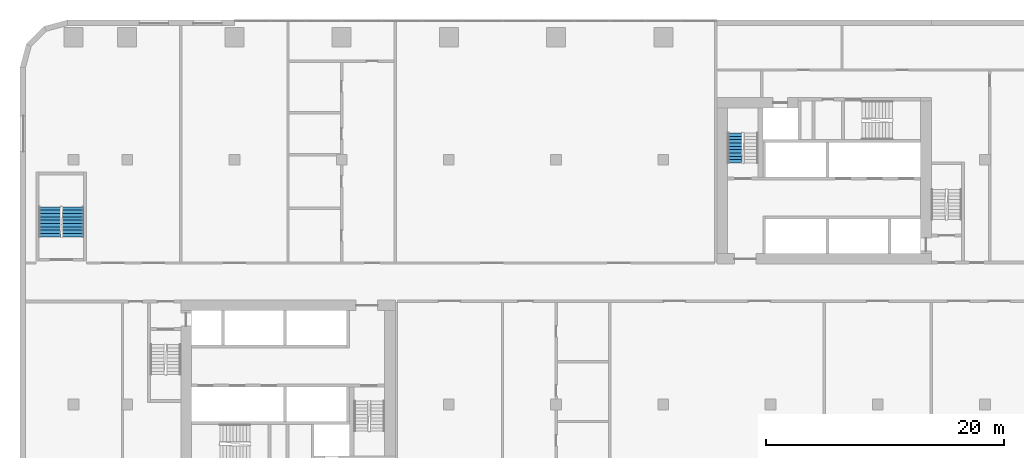
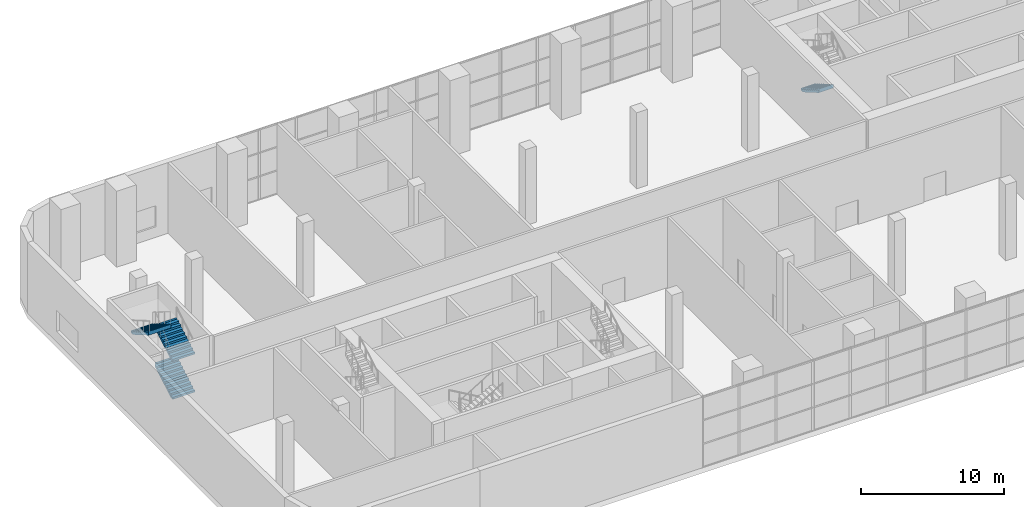
# One storey, part 17 of 24: 4 stair flights, 2 elements without a shape of their own.
"""IFC4 building model written with IfcOpenShell, lengths in metres."""

from ifc_helpers import new_model, si_unit, direction, frame, origin, place, context, subcontext, project, spatial, faceted_brep, material, type_object, element, aggregate, save


model = new_model("IFC4")

# Units and contexts
model_context = context("Model", 3, precision=1e-05, world=origin(), true_north=direction((0.0, 1.0)))
body_context = subcontext(model_context, "Body", "Model", "MODEL_VIEW")
ifc_project = project(units=[si_unit("LENGTHUNIT", "METRE"), si_unit("AREAUNIT", "SQUARE_METRE"), si_unit("VOLUMEUNIT", "CUBIC_METRE"), si_unit("PLANEANGLEUNIT", "RADIAN"), si_unit("MASSUNIT", "GRAM", prefix="KILO")], contexts=[model_context])

# Site, building, storey
site_placement = place(None, origin())
site = spatial("IfcSite", under=ifc_project, at=site_placement, CompositionType="ELEMENT")
building_placement = place(site_placement, origin())
building = spatial("IfcBuilding", under=site, at=building_placement, Name="Kajstack Hotel Tower", CompositionType="ELEMENT")
storey_placement = place(building_placement, frame((0.0, 0.0, 17.0)))
storey = spatial("IfcBuildingStorey", under=building, at=storey_placement, Name="L02", CompositionType="ELEMENT", Elevation=17.0)

# Stair, stair flights
ifc_material = material(Name="Concrete C40/50", Category="concrete")
stair_type_1 = type_object("IfcStairType", Name="Escape stair 1800", PredefinedType="HALF_TURN_STAIR", material=ifc_material)
stair_1_placement = place(storey_placement, origin())
stair_1 = element("IfcStair", 1, at=stair_1_placement, inside=storey, type_object=stair_type_1, Name="L02 stair P1", PredefinedType="HALF_TURN_STAIR")
stair_flight_type_1 = type_object("IfcStairFlightType", Name="Escape stair flight 1800", PredefinedType="STRAIGHT", material=ifc_material)
stair_flight_1_placement = place(storey_placement, frame((-40.550048828125, 3.800048828125, 0.0), z_axis=(0.0, 0.0, 1.0), x_axis=(0.0, 1.0, 0.0)))
stair_flight_1 = element("IfcStairFlight", 2, at=stair_flight_1_placement, type_object=stair_flight_type_1, Name="P1 flight 1", NumberOfRisers=10, NumberOfTreads=9, PredefinedType="STRAIGHT", RiserHeight=0.1625, TreadLength=0.28, context=body_context, shape_type="Brep", body=[
    faceted_brep([(0.299072265625, -0.89990234375, 0.0), (2.5205078125, -0.89990234375, 1.2890625), (2.5205078125, -0.89990234375, 1.625), (2.52001953125, -0.89990234375, 1.625), (2.52001953125, -0.89990234375, 1.46240234375), (2.239990234375, -0.89990234375, 1.46240234375), (2.239990234375, -0.89990234375, 1.300048828125), (1.9599609375, -0.89990234375, 1.300048828125), (1.9599609375, -0.89990234375, 1.137451171875), (1.679931640625, -0.89990234375, 1.137451171875), (1.679931640625, -0.89990234375, 0.97509765625), (1.39990234375, -0.89990234375, 0.97509765625), (1.39990234375, -0.89990234375, 0.8125), (1.1201171875, -0.89990234375, 0.8125), (1.1201171875, -0.89990234375, 0.64990234375), (0.840087890625, -0.89990234375, 0.64990234375), (0.840087890625, -0.89990234375, 0.487548828125), (0.56005859375, -0.89990234375, 0.487548828125), (0.56005859375, -0.89990234375, 0.324951171875), (0.280029296875, -0.89990234375, 0.324951171875), (0.280029296875, -0.89990234375, 0.16259765625), (-0.00048828125, -0.89990234375, 0.16259765625), (-0.00048828125, -0.89990234375, 0.0), (-0.00048828125, 0.89990234375, 0.0), (-0.00048828125, 0.89990234375, 0.16259765625), (0.280029296875, 0.89990234375, 0.16259765625), (0.280029296875, 0.89990234375, 0.324951171875), (0.56005859375, 0.89990234375, 0.324951171875), (0.56005859375, 0.89990234375, 0.487548828125), (0.840087890625, 0.89990234375, 0.487548828125), (0.840087890625, 0.89990234375, 0.64990234375), (1.1201171875, 0.89990234375, 0.64990234375), (1.1201171875, 0.89990234375, 0.8125), (1.39990234375, 0.89990234375, 0.8125), (1.39990234375, 0.89990234375, 0.97509765625), (1.679931640625, 0.89990234375, 0.97509765625), (1.679931640625, 0.89990234375, 1.137451171875), (1.9599609375, 0.89990234375, 1.137451171875), (1.9599609375, 0.89990234375, 1.300048828125), (2.239990234375, 0.89990234375, 1.300048828125), (2.239990234375, 0.89990234375, 1.46240234375), (2.52001953125, 0.89990234375, 1.46240234375), (2.52001953125, 0.89990234375, 1.625), (2.5205078125, 0.89990234375, 1.625), (2.5205078125, 0.89990234375, 1.2890625), (0.299072265625, 0.89990234375, 0.0), (-0.00048828125, -0.449951171875, 0.16259765625), (-0.00048828125, 0.0, 0.16259765625), (-0.00048828125, 0.449951171875, 0.16259765625), (-0.00048828125, 0.449951171875, 0.0), (-0.00048828125, 0.0, 0.0), (-0.00048828125, -0.449951171875, 0.0), (0.280029296875, -0.449951171875, 0.16259765625), (0.280029296875, 0.0, 0.16259765625), (0.280029296875, 0.449951171875, 0.16259765625), (0.280029296875, -0.449951171875, 0.324951171875), (0.280029296875, 0.0, 0.324951171875), (0.280029296875, 0.449951171875, 0.324951171875), (0.56005859375, -0.449951171875, 0.324951171875), (0.56005859375, 0.0, 0.324951171875), (0.56005859375, 0.449951171875, 0.324951171875), (0.56005859375, -0.449951171875, 0.487548828125), (0.56005859375, 0.0, 0.487548828125), (0.56005859375, 0.449951171875, 0.487548828125), (0.840087890625, -0.449951171875, 0.487548828125), (0.840087890625, 0.0, 0.487548828125), (0.840087890625, 0.449951171875, 0.487548828125), (0.840087890625, -0.449951171875, 0.64990234375), (0.840087890625, 0.0, 0.64990234375), (0.840087890625, 0.449951171875, 0.64990234375), (1.1201171875, -0.449951171875, 0.64990234375), (1.1201171875, 0.0, 0.64990234375), (1.1201171875, 0.449951171875, 0.64990234375), (1.1201171875, -0.449951171875, 0.8125), (1.1201171875, 0.0, 0.8125), (1.1201171875, 0.449951171875, 0.8125), (1.39990234375, -0.449951171875, 0.8125), (1.39990234375, 0.0, 0.8125), (1.39990234375, 0.449951171875, 0.8125), (1.39990234375, -0.449951171875, 0.97509765625), (1.39990234375, 0.0, 0.97509765625), (1.39990234375, 0.449951171875, 0.97509765625), (1.679931640625, -0.449951171875, 0.97509765625), (1.679931640625, 0.0, 0.97509765625), (1.679931640625, 0.449951171875, 0.97509765625), (1.679931640625, -0.449951171875, 1.137451171875), (1.679931640625, 0.0, 1.137451171875), (1.679931640625, 0.449951171875, 1.137451171875), (1.9599609375, -0.449951171875, 1.137451171875), (1.9599609375, 0.0, 1.137451171875), (1.9599609375, 0.449951171875, 1.137451171875), (1.9599609375, -0.449951171875, 1.300048828125), (1.9599609375, 0.0, 1.300048828125), (1.9599609375, 0.449951171875, 1.300048828125), (2.239990234375, -0.449951171875, 1.300048828125), (2.239990234375, 0.0, 1.300048828125), (2.239990234375, 0.449951171875, 1.300048828125), (2.239990234375, -0.449951171875, 1.46240234375), (2.239990234375, 0.0, 1.46240234375), (2.239990234375, 0.449951171875, 1.46240234375), (2.52001953125, -0.449951171875, 1.46240234375), (2.52001953125, 0.0, 1.46240234375), (2.52001953125, 0.449951171875, 1.46240234375), (2.52001953125, -0.449951171875, 1.625), (2.52001953125, 0.0, 1.625), (2.52001953125, 0.449951171875, 1.625), (2.5205078125, -0.449951171875, 1.625), (2.5205078125, 0.0, 1.625), (2.5205078125, 0.449951171875, 1.625), (2.5205078125, -0.449951171875, 1.2890625), (2.5205078125, 0.0, 1.2890625), (2.5205078125, 0.449951171875, 1.2890625), (0.299072265625, -0.449951171875, 0.0), (0.299072265625, 0.0, 0.0), (0.299072265625, 0.449951171875, 0.0)], [[[0, 1, 2, 3, 4, 5, 6, 7, 8, 9, 10, 11, 12, 13, 14, 15, 16, 17, 18, 19, 20, 21, 22]], [[23, 24, 25, 26, 27, 28, 29, 30, 31, 32, 33, 34, 35, 36, 37, 38, 39, 40, 41, 42, 43, 44, 45]], [[21, 46, 47, 48, 24, 23, 49, 50, 51, 22]], [[20, 52, 53, 54, 25, 24, 48, 47, 46, 21]], [[19, 55, 56, 57, 26, 25, 54, 53, 52, 20]], [[18, 58, 59, 60, 27, 26, 57, 56, 55, 19]], [[17, 61, 62, 63, 28, 27, 60, 59, 58, 18]], [[16, 64, 65, 66, 29, 28, 63, 62, 61, 17]], [[15, 67, 68, 69, 30, 29, 66, 65, 64, 16]], [[14, 70, 71, 72, 31, 30, 69, 68, 67, 15]], [[13, 73, 74, 75, 32, 31, 72, 71, 70, 14]], [[12, 76, 77, 78, 33, 32, 75, 74, 73, 13]], [[11, 79, 80, 81, 34, 33, 78, 77, 76, 12]], [[10, 82, 83, 84, 35, 34, 81, 80, 79, 11]], [[9, 85, 86, 87, 36, 35, 84, 83, 82, 10]], [[8, 88, 89, 90, 37, 36, 87, 86, 85, 9]], [[7, 91, 92, 93, 38, 37, 90, 89, 88, 8]], [[6, 94, 95, 96, 39, 38, 93, 92, 91, 7]], [[5, 97, 98, 99, 40, 39, 96, 95, 94, 6]], [[4, 100, 101, 102, 41, 40, 99, 98, 97, 5]], [[3, 103, 104, 105, 42, 41, 102, 101, 100, 4]], [[2, 106, 107, 108, 43, 42, 105, 104, 103, 3]], [[1, 109, 110, 111, 44, 43, 108, 107, 106, 2]], [[0, 112, 113, 114, 45, 44, 111, 110, 109, 1]], [[22, 51, 50, 49, 23, 45, 114, 113, 112, 0]]]),
])
stair_flight_2_placement = place(storey_placement, frame((-40.550048828125, 3.800048828125, 3.25), z_axis=(0.0, 0.0, 1.0), x_axis=(0.0, 1.0, 0.0)))
stair_flight_2 = element("IfcStairFlight", 3, at=stair_flight_2_placement, type_object=stair_flight_type_1, Name="P1 flight 3", NumberOfRisers=10, NumberOfTreads=9, PredefinedType="STRAIGHT", RiserHeight=0.1625, TreadLength=0.28, context=body_context, shape_type="Brep", body=[
    faceted_brep([(0.299072265625, -0.89990234375, 0.0), (2.5205078125, -0.89990234375, 1.2890625), (2.5205078125, -0.89990234375, 1.625), (2.52001953125, -0.89990234375, 1.625), (2.52001953125, -0.89990234375, 1.46240234375), (2.239990234375, -0.89990234375, 1.46240234375), (2.239990234375, -0.89990234375, 1.300048828125), (1.9599609375, -0.89990234375, 1.300048828125), (1.9599609375, -0.89990234375, 1.137451171875), (1.679931640625, -0.89990234375, 1.137451171875), (1.679931640625, -0.89990234375, 0.97509765625), (1.39990234375, -0.89990234375, 0.97509765625), (1.39990234375, -0.89990234375, 0.8125), (1.1201171875, -0.89990234375, 0.8125), (1.1201171875, -0.89990234375, 0.64990234375), (0.840087890625, -0.89990234375, 0.64990234375), (0.840087890625, -0.89990234375, 0.487548828125), (0.56005859375, -0.89990234375, 0.487548828125), (0.56005859375, -0.89990234375, 0.324951171875), (0.280029296875, -0.89990234375, 0.324951171875), (0.280029296875, -0.89990234375, 0.16259765625), (-0.00048828125, -0.89990234375, 0.16259765625), (-0.00048828125, -0.89990234375, 0.0), (-0.00048828125, 0.89990234375, 0.0), (-0.00048828125, 0.89990234375, 0.16259765625), (0.280029296875, 0.89990234375, 0.16259765625), (0.280029296875, 0.89990234375, 0.324951171875), (0.56005859375, 0.89990234375, 0.324951171875), (0.56005859375, 0.89990234375, 0.487548828125), (0.840087890625, 0.89990234375, 0.487548828125), (0.840087890625, 0.89990234375, 0.64990234375), (1.1201171875, 0.89990234375, 0.64990234375), (1.1201171875, 0.89990234375, 0.8125), (1.39990234375, 0.89990234375, 0.8125), (1.39990234375, 0.89990234375, 0.97509765625), (1.679931640625, 0.89990234375, 0.97509765625), (1.679931640625, 0.89990234375, 1.137451171875), (1.9599609375, 0.89990234375, 1.137451171875), (1.9599609375, 0.89990234375, 1.300048828125), (2.239990234375, 0.89990234375, 1.300048828125), (2.239990234375, 0.89990234375, 1.46240234375), (2.52001953125, 0.89990234375, 1.46240234375), (2.52001953125, 0.89990234375, 1.625), (2.5205078125, 0.89990234375, 1.625), (2.5205078125, 0.89990234375, 1.2890625), (0.299072265625, 0.89990234375, 0.0), (-0.00048828125, -0.449951171875, 0.16259765625), (-0.00048828125, 0.0, 0.16259765625), (-0.00048828125, 0.449951171875, 0.16259765625), (-0.00048828125, 0.449951171875, 0.0), (-0.00048828125, 0.0, 0.0), (-0.00048828125, -0.449951171875, 0.0), (0.280029296875, -0.449951171875, 0.16259765625), (0.280029296875, 0.0, 0.16259765625), (0.280029296875, 0.449951171875, 0.16259765625), (0.280029296875, -0.449951171875, 0.324951171875), (0.280029296875, 0.0, 0.324951171875), (0.280029296875, 0.449951171875, 0.324951171875), (0.56005859375, -0.449951171875, 0.324951171875), (0.56005859375, 0.0, 0.324951171875), (0.56005859375, 0.449951171875, 0.324951171875), (0.56005859375, -0.449951171875, 0.487548828125), (0.56005859375, 0.0, 0.487548828125), (0.56005859375, 0.449951171875, 0.487548828125), (0.840087890625, -0.449951171875, 0.487548828125), (0.840087890625, 0.0, 0.487548828125), (0.840087890625, 0.449951171875, 0.487548828125), (0.840087890625, -0.449951171875, 0.64990234375), (0.840087890625, 0.0, 0.64990234375), (0.840087890625, 0.449951171875, 0.64990234375), (1.1201171875, -0.449951171875, 0.64990234375), (1.1201171875, 0.0, 0.64990234375), (1.1201171875, 0.449951171875, 0.64990234375), (1.1201171875, -0.449951171875, 0.8125), (1.1201171875, 0.0, 0.8125), (1.1201171875, 0.449951171875, 0.8125), (1.39990234375, -0.449951171875, 0.8125), (1.39990234375, 0.0, 0.8125), (1.39990234375, 0.449951171875, 0.8125), (1.39990234375, -0.449951171875, 0.97509765625), (1.39990234375, 0.0, 0.97509765625), (1.39990234375, 0.449951171875, 0.97509765625), (1.679931640625, -0.449951171875, 0.97509765625), (1.679931640625, 0.0, 0.97509765625), (1.679931640625, 0.449951171875, 0.97509765625), (1.679931640625, -0.449951171875, 1.137451171875), (1.679931640625, 0.0, 1.137451171875), (1.679931640625, 0.449951171875, 1.137451171875), (1.9599609375, -0.449951171875, 1.137451171875), (1.9599609375, 0.0, 1.137451171875), (1.9599609375, 0.449951171875, 1.137451171875), (1.9599609375, -0.449951171875, 1.300048828125), (1.9599609375, 0.0, 1.300048828125), (1.9599609375, 0.449951171875, 1.300048828125), (2.239990234375, -0.449951171875, 1.300048828125), (2.239990234375, 0.0, 1.300048828125), (2.239990234375, 0.449951171875, 1.300048828125), (2.239990234375, -0.449951171875, 1.46240234375), (2.239990234375, 0.0, 1.46240234375), (2.239990234375, 0.449951171875, 1.46240234375), (2.52001953125, -0.449951171875, 1.46240234375), (2.52001953125, 0.0, 1.46240234375), (2.52001953125, 0.449951171875, 1.46240234375), (2.52001953125, -0.449951171875, 1.625), (2.52001953125, 0.0, 1.625), (2.52001953125, 0.449951171875, 1.625), (2.5205078125, -0.449951171875, 1.625), (2.5205078125, 0.0, 1.625), (2.5205078125, 0.449951171875, 1.625), (2.5205078125, -0.449951171875, 1.2890625), (2.5205078125, 0.0, 1.2890625), (2.5205078125, 0.449951171875, 1.2890625), (0.299072265625, -0.449951171875, 0.0), (0.299072265625, 0.0, 0.0), (0.299072265625, 0.449951171875, 0.0)], [[[0, 1, 2, 3, 4, 5, 6, 7, 8, 9, 10, 11, 12, 13, 14, 15, 16, 17, 18, 19, 20, 21, 22]], [[23, 24, 25, 26, 27, 28, 29, 30, 31, 32, 33, 34, 35, 36, 37, 38, 39, 40, 41, 42, 43, 44, 45]], [[21, 46, 47, 48, 24, 23, 49, 50, 51, 22]], [[20, 52, 53, 54, 25, 24, 48, 47, 46, 21]], [[19, 55, 56, 57, 26, 25, 54, 53, 52, 20]], [[18, 58, 59, 60, 27, 26, 57, 56, 55, 19]], [[17, 61, 62, 63, 28, 27, 60, 59, 58, 18]], [[16, 64, 65, 66, 29, 28, 63, 62, 61, 17]], [[15, 67, 68, 69, 30, 29, 66, 65, 64, 16]], [[14, 70, 71, 72, 31, 30, 69, 68, 67, 15]], [[13, 73, 74, 75, 32, 31, 72, 71, 70, 14]], [[12, 76, 77, 78, 33, 32, 75, 74, 73, 13]], [[11, 79, 80, 81, 34, 33, 78, 77, 76, 12]], [[10, 82, 83, 84, 35, 34, 81, 80, 79, 11]], [[9, 85, 86, 87, 36, 35, 84, 83, 82, 10]], [[8, 88, 89, 90, 37, 36, 87, 86, 85, 9]], [[7, 91, 92, 93, 38, 37, 90, 89, 88, 8]], [[6, 94, 95, 96, 39, 38, 93, 92, 91, 7]], [[5, 97, 98, 99, 40, 39, 96, 95, 94, 6]], [[4, 100, 101, 102, 41, 40, 99, 98, 97, 5]], [[3, 103, 104, 105, 42, 41, 102, 101, 100, 4]], [[2, 106, 107, 108, 43, 42, 105, 104, 103, 3]], [[1, 109, 110, 111, 44, 43, 108, 107, 106, 2]], [[0, 112, 113, 114, 45, 44, 111, 110, 109, 1]], [[22, 51, 50, 49, 23, 45, 114, 113, 112, 0]]]),
])
stair_flight_3_placement = place(storey_placement, frame((-42.5, 6.320068359375, 4.875), z_axis=(0.0, 0.0, 1.0), x_axis=(0.0, -1.0, 0.0)))
stair_flight_3 = element("IfcStairFlight", 4, at=stair_flight_3_placement, type_object=stair_flight_type_1, Name="P1 flight 4", NumberOfRisers=10, NumberOfTreads=9, PredefinedType="STRAIGHT", RiserHeight=0.1625, TreadLength=0.28, context=body_context, shape_type="Brep", body=[
    faceted_brep([(0.299072265625, -0.89990234375, 0.0), (2.5205078125, -0.89990234375, 1.2890625), (2.5205078125, -0.89990234375, 1.625), (2.52001953125, -0.89990234375, 1.625), (2.52001953125, -0.89990234375, 1.46240234375), (2.239990234375, -0.89990234375, 1.46240234375), (2.239990234375, -0.89990234375, 1.300048828125), (1.9599609375, -0.89990234375, 1.300048828125), (1.9599609375, -0.89990234375, 1.137451171875), (1.679931640625, -0.89990234375, 1.137451171875), (1.679931640625, -0.89990234375, 0.97509765625), (1.39990234375, -0.89990234375, 0.97509765625), (1.39990234375, -0.89990234375, 0.8125), (1.1201171875, -0.89990234375, 0.8125), (1.1201171875, -0.89990234375, 0.64990234375), (0.840087890625, -0.89990234375, 0.64990234375), (0.840087890625, -0.89990234375, 0.487548828125), (0.56005859375, -0.89990234375, 0.487548828125), (0.56005859375, -0.89990234375, 0.324951171875), (0.280029296875, -0.89990234375, 0.324951171875), (0.280029296875, -0.89990234375, 0.16259765625), (-0.00048828125, -0.89990234375, 0.16259765625), (-0.00048828125, -0.89990234375, 0.0), (-0.00048828125, 0.89990234375, 0.0), (-0.00048828125, 0.89990234375, 0.16259765625), (0.280029296875, 0.89990234375, 0.16259765625), (0.280029296875, 0.89990234375, 0.324951171875), (0.56005859375, 0.89990234375, 0.324951171875), (0.56005859375, 0.89990234375, 0.487548828125), (0.840087890625, 0.89990234375, 0.487548828125), (0.840087890625, 0.89990234375, 0.64990234375), (1.1201171875, 0.89990234375, 0.64990234375), (1.1201171875, 0.89990234375, 0.8125), (1.39990234375, 0.89990234375, 0.8125), (1.39990234375, 0.89990234375, 0.97509765625), (1.679931640625, 0.89990234375, 0.97509765625), (1.679931640625, 0.89990234375, 1.137451171875), (1.9599609375, 0.89990234375, 1.137451171875), (1.9599609375, 0.89990234375, 1.300048828125), (2.239990234375, 0.89990234375, 1.300048828125), (2.239990234375, 0.89990234375, 1.46240234375), (2.52001953125, 0.89990234375, 1.46240234375), (2.52001953125, 0.89990234375, 1.625), (2.5205078125, 0.89990234375, 1.625), (2.5205078125, 0.89990234375, 1.2890625), (0.299072265625, 0.89990234375, 0.0), (-0.00048828125, -0.449951171875, 0.16259765625), (-0.00048828125, 0.0, 0.16259765625), (-0.00048828125, 0.449951171875, 0.16259765625), (-0.00048828125, 0.449951171875, 0.0), (-0.00048828125, 0.0, 0.0), (-0.00048828125, -0.449951171875, 0.0), (0.280029296875, -0.449951171875, 0.16259765625), (0.280029296875, 0.0, 0.16259765625), (0.280029296875, 0.449951171875, 0.16259765625), (0.280029296875, -0.449951171875, 0.324951171875), (0.280029296875, 0.0, 0.324951171875), (0.280029296875, 0.449951171875, 0.324951171875), (0.56005859375, -0.449951171875, 0.324951171875), (0.56005859375, 0.0, 0.324951171875), (0.56005859375, 0.449951171875, 0.324951171875), (0.56005859375, -0.449951171875, 0.487548828125), (0.56005859375, 0.0, 0.487548828125), (0.56005859375, 0.449951171875, 0.487548828125), (0.840087890625, -0.449951171875, 0.487548828125), (0.840087890625, 0.0, 0.487548828125), (0.840087890625, 0.449951171875, 0.487548828125), (0.840087890625, -0.449951171875, 0.64990234375), (0.840087890625, 0.0, 0.64990234375), (0.840087890625, 0.449951171875, 0.64990234375), (1.1201171875, -0.449951171875, 0.64990234375), (1.1201171875, 0.0, 0.64990234375), (1.1201171875, 0.449951171875, 0.64990234375), (1.1201171875, -0.449951171875, 0.8125), (1.1201171875, 0.0, 0.8125), (1.1201171875, 0.449951171875, 0.8125), (1.39990234375, -0.449951171875, 0.8125), (1.39990234375, 0.0, 0.8125), (1.39990234375, 0.449951171875, 0.8125), (1.39990234375, -0.449951171875, 0.97509765625), (1.39990234375, 0.0, 0.97509765625), (1.39990234375, 0.449951171875, 0.97509765625), (1.679931640625, -0.449951171875, 0.97509765625), (1.679931640625, 0.0, 0.97509765625), (1.679931640625, 0.449951171875, 0.97509765625), (1.679931640625, -0.449951171875, 1.137451171875), (1.679931640625, 0.0, 1.137451171875), (1.679931640625, 0.449951171875, 1.137451171875), (1.9599609375, -0.449951171875, 1.137451171875), (1.9599609375, 0.0, 1.137451171875), (1.9599609375, 0.449951171875, 1.137451171875), (1.9599609375, -0.449951171875, 1.300048828125), (1.9599609375, 0.0, 1.300048828125), (1.9599609375, 0.449951171875, 1.300048828125), (2.239990234375, -0.449951171875, 1.300048828125), (2.239990234375, 0.0, 1.300048828125), (2.239990234375, 0.449951171875, 1.300048828125), (2.239990234375, -0.449951171875, 1.46240234375), (2.239990234375, 0.0, 1.46240234375), (2.239990234375, 0.449951171875, 1.46240234375), (2.52001953125, -0.449951171875, 1.46240234375), (2.52001953125, 0.0, 1.46240234375), (2.52001953125, 0.449951171875, 1.46240234375), (2.52001953125, -0.449951171875, 1.625), (2.52001953125, 0.0, 1.625), (2.52001953125, 0.449951171875, 1.625), (2.5205078125, -0.449951171875, 1.625), (2.5205078125, 0.0, 1.625), (2.5205078125, 0.449951171875, 1.625), (2.5205078125, -0.449951171875, 1.2890625), (2.5205078125, 0.0, 1.2890625), (2.5205078125, 0.449951171875, 1.2890625), (0.299072265625, -0.449951171875, 0.0), (0.299072265625, 0.0, 0.0), (0.299072265625, 0.449951171875, 0.0)], [[[0, 1, 2, 3, 4, 5, 6, 7, 8, 9, 10, 11, 12, 13, 14, 15, 16, 17, 18, 19, 20, 21, 22]], [[23, 24, 25, 26, 27, 28, 29, 30, 31, 32, 33, 34, 35, 36, 37, 38, 39, 40, 41, 42, 43, 44, 45]], [[21, 46, 47, 48, 24, 23, 49, 50, 51, 22]], [[20, 52, 53, 54, 25, 24, 48, 47, 46, 21]], [[19, 55, 56, 57, 26, 25, 54, 53, 52, 20]], [[18, 58, 59, 60, 27, 26, 57, 56, 55, 19]], [[17, 61, 62, 63, 28, 27, 60, 59, 58, 18]], [[16, 64, 65, 66, 29, 28, 63, 62, 61, 17]], [[15, 67, 68, 69, 30, 29, 66, 65, 64, 16]], [[14, 70, 71, 72, 31, 30, 69, 68, 67, 15]], [[13, 73, 74, 75, 32, 31, 72, 71, 70, 14]], [[12, 76, 77, 78, 33, 32, 75, 74, 73, 13]], [[11, 79, 80, 81, 34, 33, 78, 77, 76, 12]], [[10, 82, 83, 84, 35, 34, 81, 80, 79, 11]], [[9, 85, 86, 87, 36, 35, 84, 83, 82, 10]], [[8, 88, 89, 90, 37, 36, 87, 86, 85, 9]], [[7, 91, 92, 93, 38, 37, 90, 89, 88, 8]], [[6, 94, 95, 96, 39, 38, 93, 92, 91, 7]], [[5, 97, 98, 99, 40, 39, 96, 95, 94, 6]], [[4, 100, 101, 102, 41, 40, 99, 98, 97, 5]], [[3, 103, 104, 105, 42, 41, 102, 101, 100, 4]], [[2, 106, 107, 108, 43, 42, 105, 104, 103, 3]], [[1, 109, 110, 111, 44, 43, 108, 107, 106, 2]], [[0, 112, 113, 114, 45, 44, 111, 110, 109, 1]], [[22, 51, 50, 49, 23, 45, 114, 113, 112, 0]]]),
])
aggregate(stair_1, [stair_flight_1, stair_flight_2, stair_flight_3])

# Stair, stair flight
stair_type_2 = type_object("IfcStairType", Name="Exit stair 1200", PredefinedType="HALF_TURN_STAIR", material=ifc_material)
stair_2_placement = place(storey_placement, origin())
stair_2 = element("IfcStair", 5, at=stair_2_placement, inside=storey, type_object=stair_type_2, Name="L02 stair E2", PredefinedType="HALF_TURN_STAIR")
stair_flight_type_2 = type_object("IfcStairFlightType", Name="Exit stair flight 1200", PredefinedType="STRAIGHT", material=ifc_material)
stair_flight_4_placement = place(storey_placement, frame((15.0, 12.52001953125, 1.625), z_axis=(0.0, 0.0, 1.0), x_axis=(0.0, -1.0, 0.0)))
stair_flight_4 = element("IfcStairFlight", 6, at=stair_flight_4_placement, type_object=stair_flight_type_2, Name="E2 flight 2", NumberOfRisers=10, NumberOfTreads=9, PredefinedType="STRAIGHT", RiserHeight=0.1625, TreadLength=0.28, context=body_context, shape_type="Brep", body=[
    faceted_brep([(0.299072265625, -0.60009765625, 0.0), (2.5205078125, -0.60009765625, 1.2890625), (2.5205078125, -0.60009765625, 1.625), (2.52001953125, -0.60009765625, 1.625), (2.52001953125, -0.60009765625, 1.46240234375), (2.239990234375, -0.60009765625, 1.46240234375), (2.239990234375, -0.60009765625, 1.300048828125), (1.9599609375, -0.60009765625, 1.300048828125), (1.9599609375, -0.60009765625, 1.137451171875), (1.679931640625, -0.60009765625, 1.137451171875), (1.679931640625, -0.60009765625, 0.97509765625), (1.39990234375, -0.60009765625, 0.97509765625), (1.39990234375, -0.60009765625, 0.8125), (1.1201171875, -0.60009765625, 0.8125), (1.1201171875, -0.60009765625, 0.64990234375), (0.840087890625, -0.60009765625, 0.64990234375), (0.840087890625, -0.60009765625, 0.487548828125), (0.56005859375, -0.60009765625, 0.487548828125), (0.56005859375, -0.60009765625, 0.324951171875), (0.280029296875, -0.60009765625, 0.324951171875), (0.280029296875, -0.60009765625, 0.16259765625), (-0.00048828125, -0.60009765625, 0.16259765625), (-0.00048828125, -0.60009765625, 0.0), (-0.00048828125, 0.60009765625, 0.0), (-0.00048828125, 0.60009765625, 0.16259765625), (0.280029296875, 0.60009765625, 0.16259765625), (0.280029296875, 0.60009765625, 0.324951171875), (0.56005859375, 0.60009765625, 0.324951171875), (0.56005859375, 0.60009765625, 0.487548828125), (0.840087890625, 0.60009765625, 0.487548828125), (0.840087890625, 0.60009765625, 0.64990234375), (1.1201171875, 0.60009765625, 0.64990234375), (1.1201171875, 0.60009765625, 0.8125), (1.39990234375, 0.60009765625, 0.8125), (1.39990234375, 0.60009765625, 0.97509765625), (1.679931640625, 0.60009765625, 0.97509765625), (1.679931640625, 0.60009765625, 1.137451171875), (1.9599609375, 0.60009765625, 1.137451171875), (1.9599609375, 0.60009765625, 1.300048828125), (2.239990234375, 0.60009765625, 1.300048828125), (2.239990234375, 0.60009765625, 1.46240234375), (2.52001953125, 0.60009765625, 1.46240234375), (2.52001953125, 0.60009765625, 1.625), (2.5205078125, 0.60009765625, 1.625), (2.5205078125, 0.60009765625, 1.2890625), (0.299072265625, 0.60009765625, 0.0), (-0.00048828125, -0.300048828125, 0.16259765625), (-0.00048828125, 0.0, 0.16259765625), (-0.00048828125, 0.300048828125, 0.16259765625), (-0.00048828125, 0.300048828125, 0.0), (-0.00048828125, 0.0, 0.0), (-0.00048828125, -0.300048828125, 0.0), (0.280029296875, -0.300048828125, 0.16259765625), (0.280029296875, 0.0, 0.16259765625), (0.280029296875, 0.300048828125, 0.16259765625), (0.280029296875, -0.300048828125, 0.324951171875), (0.280029296875, 0.0, 0.324951171875), (0.280029296875, 0.300048828125, 0.324951171875), (0.56005859375, -0.300048828125, 0.324951171875), (0.56005859375, 0.0, 0.324951171875), (0.56005859375, 0.300048828125, 0.324951171875), (0.56005859375, -0.300048828125, 0.487548828125), (0.56005859375, 0.0, 0.487548828125), (0.56005859375, 0.300048828125, 0.487548828125), (0.840087890625, -0.300048828125, 0.487548828125), (0.840087890625, 0.0, 0.487548828125), (0.840087890625, 0.300048828125, 0.487548828125), (0.840087890625, -0.300048828125, 0.64990234375), (0.840087890625, 0.0, 0.64990234375), (0.840087890625, 0.300048828125, 0.64990234375), (1.1201171875, -0.300048828125, 0.64990234375), (1.1201171875, 0.0, 0.64990234375), (1.1201171875, 0.300048828125, 0.64990234375), (1.1201171875, -0.300048828125, 0.8125), (1.1201171875, 0.0, 0.8125), (1.1201171875, 0.300048828125, 0.8125), (1.39990234375, -0.300048828125, 0.8125), (1.39990234375, 0.0, 0.8125), (1.39990234375, 0.300048828125, 0.8125), (1.39990234375, -0.300048828125, 0.97509765625), (1.39990234375, 0.0, 0.97509765625), (1.39990234375, 0.300048828125, 0.97509765625), (1.679931640625, -0.300048828125, 0.97509765625), (1.679931640625, 0.0, 0.97509765625), (1.679931640625, 0.300048828125, 0.97509765625), (1.679931640625, -0.300048828125, 1.137451171875), (1.679931640625, 0.0, 1.137451171875), (1.679931640625, 0.300048828125, 1.137451171875), (1.9599609375, -0.300048828125, 1.137451171875), (1.9599609375, 0.0, 1.137451171875), (1.9599609375, 0.300048828125, 1.137451171875), (1.9599609375, -0.300048828125, 1.300048828125), (1.9599609375, 0.0, 1.300048828125), (1.9599609375, 0.300048828125, 1.300048828125), (2.239990234375, -0.300048828125, 1.300048828125), (2.239990234375, 0.0, 1.300048828125), (2.239990234375, 0.300048828125, 1.300048828125), (2.239990234375, -0.300048828125, 1.46240234375), (2.239990234375, 0.0, 1.46240234375), (2.239990234375, 0.300048828125, 1.46240234375), (2.52001953125, -0.300048828125, 1.46240234375), (2.52001953125, 0.0, 1.46240234375), (2.52001953125, 0.300048828125, 1.46240234375), (2.52001953125, -0.300048828125, 1.625), (2.52001953125, 0.0, 1.625), (2.52001953125, 0.300048828125, 1.625), (2.5205078125, -0.300048828125, 1.625), (2.5205078125, 0.0, 1.625), (2.5205078125, 0.300048828125, 1.625), (2.5205078125, -0.300048828125, 1.2890625), (2.5205078125, 0.0, 1.2890625), (2.5205078125, 0.300048828125, 1.2890625), (0.299072265625, -0.300048828125, 0.0), (0.299072265625, 0.0, 0.0), (0.299072265625, 0.300048828125, 0.0)], [[[0, 1, 2, 3, 4, 5, 6, 7, 8, 9, 10, 11, 12, 13, 14, 15, 16, 17, 18, 19, 20, 21, 22]], [[23, 24, 25, 26, 27, 28, 29, 30, 31, 32, 33, 34, 35, 36, 37, 38, 39, 40, 41, 42, 43, 44, 45]], [[21, 46, 47, 48, 24, 23, 49, 50, 51, 22]], [[20, 52, 53, 54, 25, 24, 48, 47, 46, 21]], [[19, 55, 56, 57, 26, 25, 54, 53, 52, 20]], [[18, 58, 59, 60, 27, 26, 57, 56, 55, 19]], [[17, 61, 62, 63, 28, 27, 60, 59, 58, 18]], [[16, 64, 65, 66, 29, 28, 63, 62, 61, 17]], [[15, 67, 68, 69, 30, 29, 66, 65, 64, 16]], [[14, 70, 71, 72, 31, 30, 69, 68, 67, 15]], [[13, 73, 74, 75, 32, 31, 72, 71, 70, 14]], [[12, 76, 77, 78, 33, 32, 75, 74, 73, 13]], [[11, 79, 80, 81, 34, 33, 78, 77, 76, 12]], [[10, 82, 83, 84, 35, 34, 81, 80, 79, 11]], [[9, 85, 86, 87, 36, 35, 84, 83, 82, 10]], [[8, 88, 89, 90, 37, 36, 87, 86, 85, 9]], [[7, 91, 92, 93, 38, 37, 90, 89, 88, 8]], [[6, 94, 95, 96, 39, 38, 93, 92, 91, 7]], [[5, 97, 98, 99, 40, 39, 96, 95, 94, 6]], [[4, 100, 101, 102, 41, 40, 99, 98, 97, 5]], [[3, 103, 104, 105, 42, 41, 102, 101, 100, 4]], [[2, 106, 107, 108, 43, 42, 105, 104, 103, 3]], [[1, 109, 110, 111, 44, 43, 108, 107, 106, 2]], [[0, 112, 113, 114, 45, 44, 111, 110, 109, 1]], [[22, 51, 50, 49, 23, 45, 114, 113, 112, 0]]]),
])
aggregate(stair_2, [stair_flight_4])

save(model, "model.ifc")
